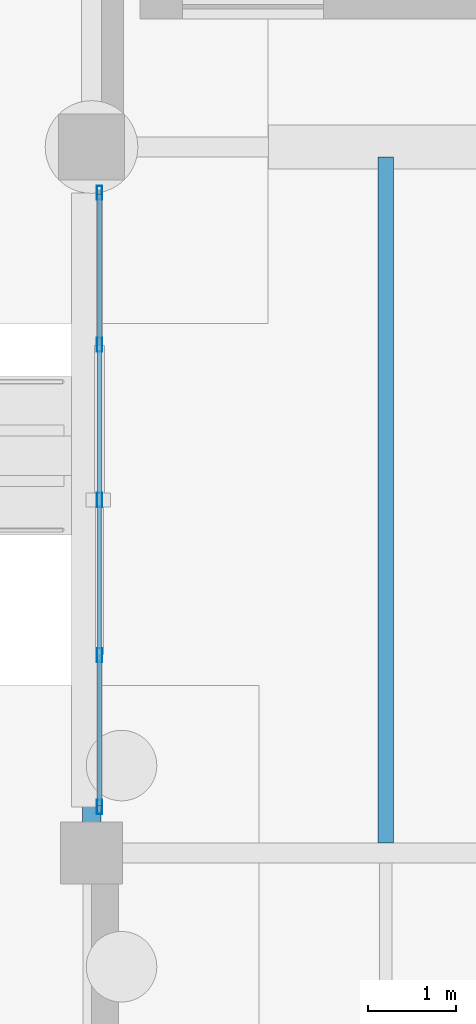
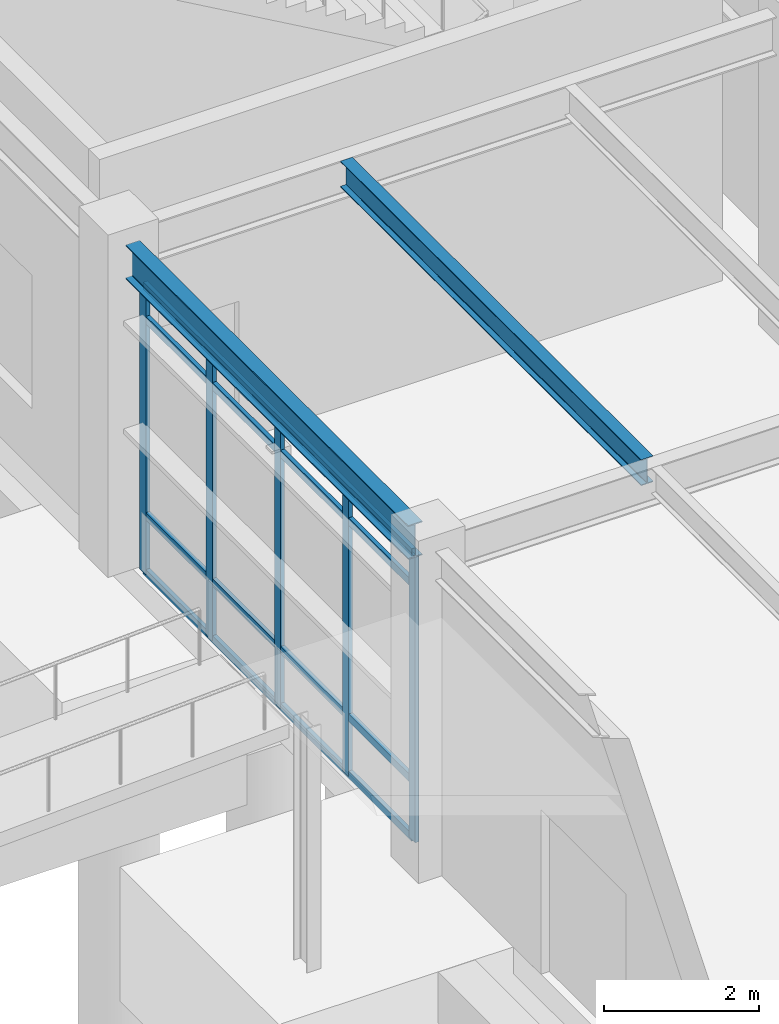
# One storey, part 36 of 203: 9 members, 2 beams, 1 element without a shape of its own.
"""IFC4 building model written with IfcOpenShell, lengths in metres."""

from ifc_helpers import new_model, si_unit, direction, frame, origin, origin_2d, place, context, subcontext, project, spatial, hollow_rectangle, i_section, extrude, material, material_profile, profile_set, type_object, element, aggregate, save


model = new_model("IFC4")

# Units and contexts
model_context = context("Model", 3, precision=1e-05, world=origin(), true_north=direction((0.0, 1.0)))
body_context = subcontext(model_context, "Body", "Model", "MODEL_VIEW")
ifc_project = project(units=[si_unit("LENGTHUNIT", "METRE"), si_unit("AREAUNIT", "SQUARE_METRE"), si_unit("VOLUMEUNIT", "CUBIC_METRE"), si_unit("PLANEANGLEUNIT", "RADIAN"), si_unit("MASSUNIT", "GRAM", prefix="KILO"), si_unit("THERMODYNAMICTEMPERATUREUNIT", "KELVIN"), si_unit("POWERUNIT", "WATT")], contexts=[model_context])

# Site, building, storey
site_placement = place(None, origin())
site = spatial("IfcSite", under=ifc_project, at=site_placement, CompositionType="ELEMENT")
building_placement = place(site_placement, origin())
building = spatial("IfcBuilding", under=site, at=building_placement, Name="Tepalcoro Natatorium and Aquatics Centre", CompositionType="ELEMENT")
storey_placement = place(building_placement, origin())
storey = spatial("IfcBuildingStorey", under=building, at=storey_placement, Name="L00", CompositionType="ELEMENT", Elevation=0.0)

# Curtain wall, members
ifc_material_1 = material(Name="Bronze-Anodised Extruded Aluminium Alloy EN AW-6063 T6", Category="aluminium")
curtain_wall_type = type_object("IfcCurtainWallType", Name="CW_LEAN_T2_EW", PredefinedType="USERDEFINED", material=ifc_material_1)
curtain_wall_placement = place(storey_placement, origin())
curtain_wall = element("IfcCurtainWall", 1, at=curtain_wall_placement, inside=storey, type_object=curtain_wall_type, Name="V3 L00 W Unitised Curtain Wall Bay 5", ObjectType="FACETED SOLAR GLAZING", PredefinedType="USERDEFINED")
ifc_material_profile_1 = material_profile(ifc_material_1, hollow_rectangle(XDim=0.06005859375, YDim=0.159912109375, WallThickness=0.00390625, at=origin_2d()), Name="AL60X160X4")
ifc_profile_set_1 = profile_set([ifc_material_profile_1], Name="Bronze-Anodised Extruded Aluminium Alloy EN AW-6063 T6")
member_type_1 = type_object("IfcMemberType", Name="CW_MUL_60x160", PredefinedType="MULLION", material=ifc_profile_set_1)
member_1_placement = place(storey_placement, frame((0.090087890625, 36.52001953125, 0.02001953125), z_axis=(0.0, 0.0, 1.0), x_axis=(1.0, 0.0, 0.0)))
member_1 = element("IfcMember", 2, at=member_1_placement, type_object=member_type_1, Name="CW_LEAN_T2_EW Curtain Wall Mullion", PredefinedType="MULLION", context=body_context, shape_type="SweptSolid", body=[
    extrude(hollow_rectangle(XDim=0.06005859375, YDim=0.159912109375, WallThickness=0.00390625, at=origin_2d()), origin(), (0.0, 0.0, 1.0), 4.553955078125),
])
member_2_placement = place(storey_placement, frame((0.090087890625, 38.239990234375, 0.02001953125), z_axis=(0.0, 0.0, 1.0), x_axis=(1.0, 0.0, 0.0)))
member_2 = element("IfcMember", 3, at=member_2_placement, type_object=member_type_1, Name="CW_LEAN_T2_EW Curtain Wall Mullion", PredefinedType="MULLION", context=body_context, shape_type="SweptSolid", body=[
    extrude(hollow_rectangle(XDim=0.06005859375, YDim=0.159912109375, WallThickness=0.00390625, at=origin_2d()), origin(), (0.0, 0.0, 1.0), 4.553955078125),
])
member_3_placement = place(storey_placement, frame((0.090087890625, 40.0, 0.02001953125), z_axis=(0.0, 0.0, 1.0), x_axis=(1.0, 0.0, 0.0)))
member_3 = element("IfcMember", 4, at=member_3_placement, type_object=member_type_1, Name="CW_LEAN_T2_EW Curtain Wall Mullion", PredefinedType="MULLION", context=body_context, shape_type="SweptSolid", body=[
    extrude(hollow_rectangle(XDim=0.06005859375, YDim=0.159912109375, WallThickness=0.00390625, at=origin_2d()), origin(), (0.0, 0.0, 1.0), 4.553955078125),
])
member_4_placement = place(storey_placement, frame((0.090087890625, 41.760009765625, 0.02001953125), z_axis=(0.0, 0.0, 1.0), x_axis=(1.0, 0.0, 0.0)))
member_4 = element("IfcMember", 5, at=member_4_placement, type_object=member_type_1, Name="CW_LEAN_T2_EW Curtain Wall Mullion", PredefinedType="MULLION", context=body_context, shape_type="SweptSolid", body=[
    extrude(hollow_rectangle(XDim=0.06005859375, YDim=0.159912109375, WallThickness=0.00390625, at=origin_2d()), origin(), (0.0, 0.0, 1.0), 4.553955078125),
])
member_5_placement = place(storey_placement, frame((0.090087890625, 43.47998046875, 0.02001953125), z_axis=(0.0, 0.0, 1.0), x_axis=(1.0, 0.0, 0.0)))
member_5 = element("IfcMember", 6, at=member_5_placement, type_object=member_type_1, Name="CW_LEAN_T2_EW Curtain Wall Mullion", PredefinedType="MULLION", context=body_context, shape_type="SweptSolid", body=[
    extrude(hollow_rectangle(XDim=0.06005859375, YDim=0.159912109375, WallThickness=0.00390625, at=origin_2d()), origin(), (0.0, 0.0, 1.0), 4.553955078125),
])
ifc_material_profile_2 = material_profile(ifc_material_1, hollow_rectangle(XDim=0.06005859375, YDim=0.1201171875, WallThickness=0.00390625, at=origin_2d()), Name="AL60X120X4")
ifc_profile_set_2 = profile_set([ifc_material_profile_2], Name="Bronze-Anodised Extruded Aluminium Alloy EN AW-6063 T6")
member_type_2 = type_object("IfcMemberType", Name="CW_TRN_60x120", PredefinedType="USERDEFINED", material=ifc_profile_set_2)
member_6_placement = place(storey_placement, frame((0.090087890625, 36.530029296875, 0.050048828125), z_axis=(0.0, 1.0, 0.0), x_axis=(-1.0, 0.0, 0.0)))
member_6 = element("IfcMember", 7, at=member_6_placement, type_object=member_type_2, Name="CW_LEAN_T2_EW Curtain Wall Transom", ObjectType="TRANSOM", PredefinedType="USERDEFINED", context=body_context, shape_type="SweptSolid", body=[
    extrude(hollow_rectangle(XDim=0.06005859375, YDim=0.1201171875, WallThickness=0.00390625, at=origin_2d()), origin(), (0.0, 0.0, 1.0), 6.93994140625),
])
member_7_placement = place(storey_placement, frame((0.090087890625, 36.530029296875, 0.949951171875), z_axis=(0.0, 1.0, 0.0), x_axis=(-1.0, 0.0, 0.0)))
member_7 = element("IfcMember", 8, at=member_7_placement, type_object=member_type_2, Name="CW_LEAN_T2_EW Curtain Wall Transom", ObjectType="TRANSOM", PredefinedType="USERDEFINED", context=body_context, shape_type="SweptSolid", body=[
    extrude(hollow_rectangle(XDim=0.06005859375, YDim=0.1201171875, WallThickness=0.00390625, at=origin_2d()), origin(), (0.0, 0.0, 1.0), 6.93994140625),
])
member_8_placement = place(storey_placement, frame((0.090087890625, 36.530029296875, 4.0439453125), z_axis=(0.0, 1.0, 0.0), x_axis=(-1.0, 0.0, 0.0)))
member_8 = element("IfcMember", 9, at=member_8_placement, type_object=member_type_2, Name="CW_LEAN_T2_EW Curtain Wall Transom", ObjectType="TRANSOM", PredefinedType="USERDEFINED", context=body_context, shape_type="SweptSolid", body=[
    extrude(hollow_rectangle(XDim=0.06005859375, YDim=0.1201171875, WallThickness=0.00390625, at=origin_2d()), origin(), (0.0, 0.0, 1.0), 6.93994140625),
])
member_9_placement = place(storey_placement, frame((0.090087890625, 36.530029296875, 4.5439453125), z_axis=(0.0, 1.0, 0.0), x_axis=(-1.0, 0.0, 0.0)))
member_9 = element("IfcMember", 10, at=member_9_placement, type_object=member_type_2, Name="CW_LEAN_T2_EW Curtain Wall Transom", ObjectType="TRANSOM", PredefinedType="USERDEFINED", context=body_context, shape_type="SweptSolid", body=[
    extrude(hollow_rectangle(XDim=0.06005859375, YDim=0.1201171875, WallThickness=0.00390625, at=origin_2d()), origin(), (0.0, 0.0, 1.0), 6.93994140625),
])
aggregate(curtain_wall, [member_1, member_2, member_3, member_4, member_5, member_6, member_7, member_8, member_9])

# Beams
ifc_material_2 = material(Name="Steel ASTM A992 Grade 50 (Fy 345 MPa)", Category="steel")
ifc_material_profile_3 = material_profile(ifc_material_2, i_section(OverallWidth=0.178955078125, OverallDepth=0.409912109375, WebThickness=0.009033203125, FlangeThickness=0.013916015625, FilletRadius=0.013916015625, at=origin_2d()), Name="W16X45")
ifc_profile_set_3 = profile_set([ifc_material_profile_3], Name="Steel ASTM A992 Grade 50 (Fy 345 MPa)")
beam_type_1 = type_object("IfcBeamType", Name="JS_W16x45", PredefinedType="JOIST", material=ifc_profile_set_3)
beam_1_placement = place(storey_placement, frame((3.333251953125, 36.114013671875, 4.93994140625), z_axis=(0.0, 1.0, 0.0), x_axis=(-1.0, 0.0, 0.0)))
element("IfcBeam", 11, at=beam_1_placement, inside=storey, type_object=beam_type_1, Name="V3 L00 Floor Joist", PredefinedType="JOIST", context=body_context, shape_type="SweptSolid", body=[
    extrude(i_section(OverallWidth=0.178955078125, OverallDepth=0.409912109375, WebThickness=0.009033203125, FlangeThickness=0.013916015625, FilletRadius=0.013916015625, at=origin_2d()), origin(), (0.0, 0.0, 1.0), 7.77099609375),
])
ifc_material_profile_4 = material_profile(ifc_material_2, i_section(OverallWidth=0.2099609375, OverallDepth=0.535888671875, WebThickness=0.010986328125, FlangeThickness=0.01708984375, FilletRadius=0.013916015625, at=origin_2d()), Name="W21X68")
ifc_profile_set_4 = profile_set([ifc_material_profile_4], Name="Steel ASTM A992 Grade 50 (Fy 345 MPa)")
beam_type_2 = type_object("IfcBeamType", Name="SP_W21x68", PredefinedType="SPANDREL", material=ifc_profile_set_4)
beam_2_placement = place(storey_placement, frame((0.0, 36.3349609375, 4.876953125), z_axis=(0.0, 1.0, 0.0), x_axis=(-1.0, 0.0, 0.0)))
element("IfcBeam", 12, at=beam_2_placement, inside=storey, type_object=beam_type_2, Name="V3 L00 Grid Girder Y", PredefinedType="SPANDREL", context=body_context, shape_type="SweptSolid", body=[
    extrude(i_section(OverallWidth=0.2099609375, OverallDepth=0.535888671875, WebThickness=0.010986328125, FlangeThickness=0.01708984375, FilletRadius=0.013916015625, at=origin_2d()), origin(), (0.0, 0.0, 1.0), 7.304931640625),
])

save(model, "model.ifc")
